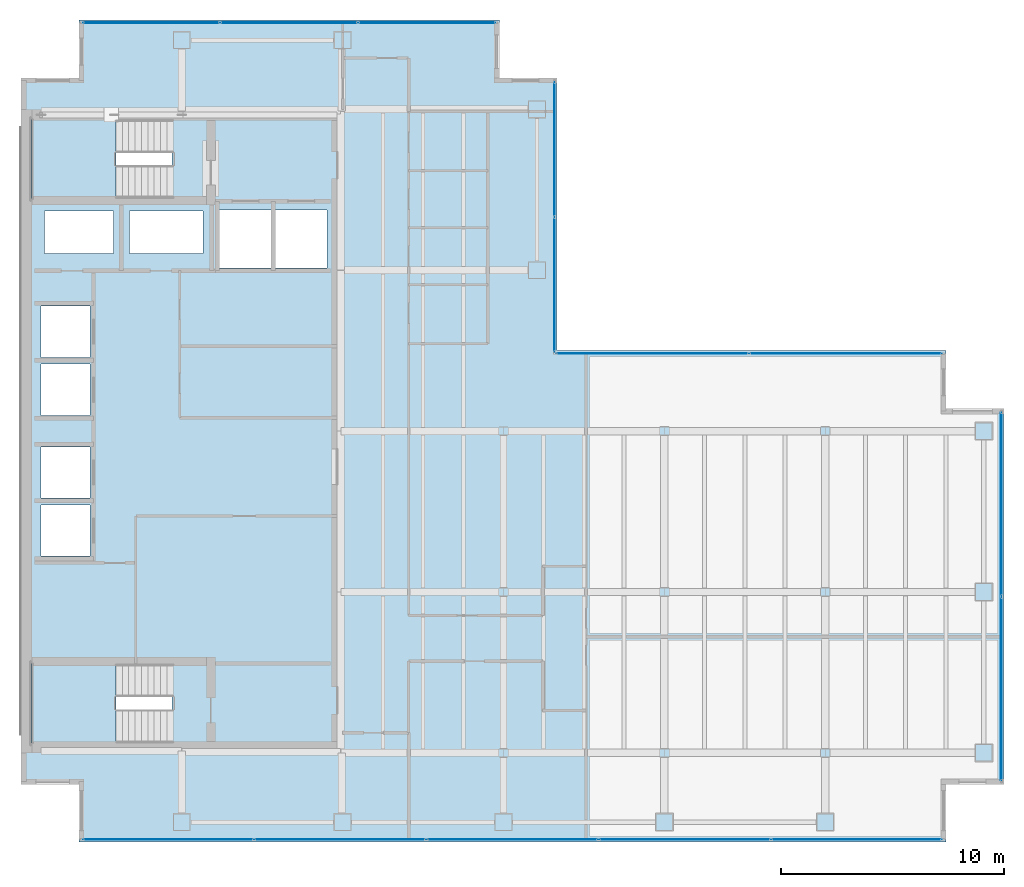
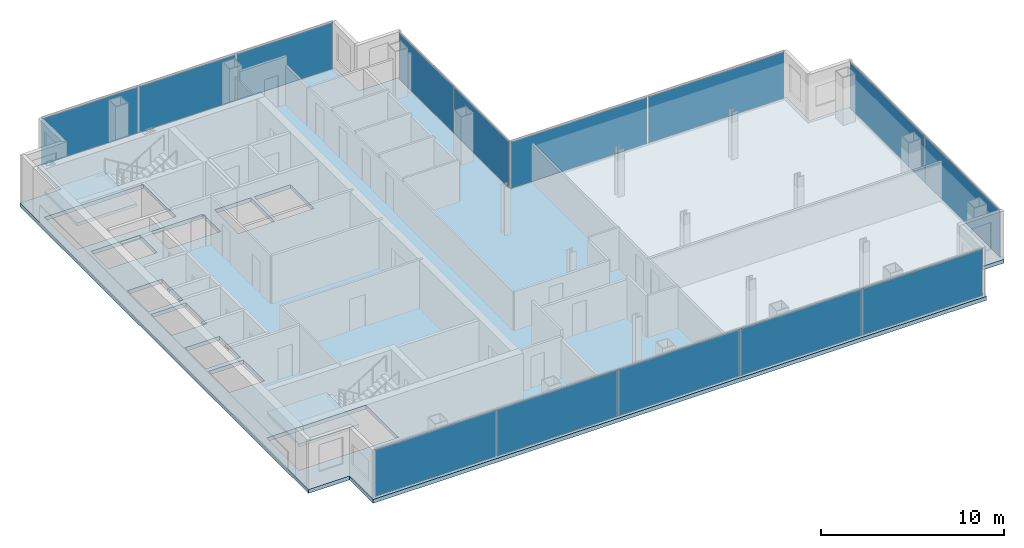
# One storey, part 19 of 23: 14 plates, 3 slabs, 10 openings, 7 elements without a shape of their own.
"""IFC4 building model written with IfcOpenShell, lengths in metres."""

from ifc_helpers import new_model, si_unit, direction, frame, origin, origin_2d, place, context, subcontext, project, spatial, polyline, rectangle, outline, extrude, material, layer, layer_set, type_object, element, aggregate, save


model = new_model("IFC4")

# Units and contexts
model_context = context("Model", 3, precision=1e-05, world=origin(), true_north=direction((0.0, 1.0)))
body_context = subcontext(model_context, "Body", "Model", "MODEL_VIEW")
ifc_project = project(units=[si_unit("LENGTHUNIT", "METRE"), si_unit("AREAUNIT", "SQUARE_METRE"), si_unit("VOLUMEUNIT", "CUBIC_METRE"), si_unit("PLANEANGLEUNIT", "RADIAN"), si_unit("MASSUNIT", "GRAM", prefix="KILO")], contexts=[model_context])

# Site, building, storey
site_placement = place(None, origin())
site = spatial("IfcSite", under=ifc_project, at=site_placement, CompositionType="ELEMENT")
building_placement = place(site_placement, origin())
building = spatial("IfcBuilding", under=site, at=building_placement, Name="Cobrela Telecom Tower", CompositionType="ELEMENT")
storey_placement = place(building_placement, frame((0.0, 0.0, 197.75)))
storey = spatial("IfcBuildingStorey", under=building, at=storey_placement, Name="L50", CompositionType="ELEMENT", Elevation=197.75)

# Curtain wall, plates
ifc_material_1 = material(Name="Anodized Bronze Aluminium 6063-T6", Category="aluminium")
curtain_wall_type = type_object("IfcCurtainWallType", Name="CW-SYS-OFF-LO", PredefinedType="USERDEFINED", material=ifc_material_1)
curtain_wall_1_placement = place(storey_placement, origin())
curtain_wall_1 = element("IfcCurtainWall", 1, at=curtain_wall_1_placement, inside=storey, type_object=curtain_wall_type, Name="L50 Unitised Bronze Curtain Wall 07", ObjectType="UNITISED CURTAIN WALL", PredefinedType="USERDEFINED")
ifc_material_2 = material(Name="Solar-Control Bronze Low-E Glass", Category="glass")
ifc_layer_1 = layer(ifc_material_2, 0.031982421875)
ifc_layer_set_1 = layer_set([ifc_layer_1], Name="Solar-Control Bronze Low-E Glass")
plate_type = type_object("IfcPlateType", Name="CW-SYS-OFF-LO-PNL", PredefinedType="CURTAIN_PANEL", material=ifc_layer_set_1)
plate_1_placement = place(storey_placement, frame((5.82421875, 39.8798828125, 0.070068359375), z_axis=(0.0, 0.0, 1.0), x_axis=(1.0, 0.0, 0.0)))
plate_1 = element("IfcPlate", 2, at=plate_1_placement, type_object=plate_type, Name="CW-OFF-LO panel 1.1", PredefinedType="CURTAIN_PANEL", context=body_context, shape_type="SweptSolid", body=[
    extrude(rectangle(XDim=6.08837890625, YDim=0.031982421875, at=origin_2d()), origin(), (0.0, 0.0, 1.0), 3.10009765625),
])
plate_2_placement = place(storey_placement, frame((12.0, 39.8798828125, 0.070068359375), z_axis=(0.0, 0.0, 1.0), x_axis=(1.0, 0.0, 0.0)))
plate_2 = element("IfcPlate", 3, at=plate_2_placement, type_object=plate_type, Name="CW-OFF-LO panel 2.1", PredefinedType="CURTAIN_PANEL", context=body_context, shape_type="SweptSolid", body=[
    extrude(rectangle(XDim=6.123291015625, YDim=0.031982421875, at=origin_2d()), origin(), (0.0, 0.0, 1.0), 3.10009765625),
])
plate_3_placement = place(storey_placement, frame((18.17578125, 39.8798828125, 0.070068359375), z_axis=(0.0, 0.0, 1.0), x_axis=(1.0, 0.0, 0.0)))
plate_3 = element("IfcPlate", 4, at=plate_3_placement, type_object=plate_type, Name="CW-OFF-LO panel 3.1", PredefinedType="CURTAIN_PANEL", context=body_context, shape_type="SweptSolid", body=[
    extrude(rectangle(XDim=6.08837890625, YDim=0.031982421875, at=origin_2d()), origin(), (0.0, 0.0, 1.0), 3.10009765625),
])
aggregate(curtain_wall_1, [plate_1, plate_2, plate_3])

curtain_wall_2_placement = place(storey_placement, origin())
curtain_wall_2 = element("IfcCurtainWall", 5, at=curtain_wall_2_placement, inside=storey, type_object=curtain_wall_type, Name="L50 Unitised Bronze Curtain Wall 10", ObjectType="UNITISED CURTAIN WALL", PredefinedType="USERDEFINED")
plate_4_placement = place(storey_placement, frame((23.8798828125, 34.219970703125, 0.070068359375), z_axis=(0.0, 0.0, 1.0), x_axis=(0.0, -1.0, 0.0)))
plate_4 = element("IfcPlate", 6, at=plate_4_placement, type_object=plate_type, Name="CW-OFF-LO panel 1.1", PredefinedType="CURTAIN_PANEL", context=body_context, shape_type="SweptSolid", body=[
    extrude(rectangle(XDim=6.0, YDim=0.031982421875, at=origin_2d()), origin(), (0.0, 0.0, 1.0), 3.10009765625),
])
plate_5_placement = place(storey_placement, frame((23.8798828125, 28.14990234375, 0.070068359375), z_axis=(0.0, 0.0, 1.0), x_axis=(0.0, -1.0, 0.0)))
plate_5 = element("IfcPlate", 7, at=plate_5_placement, type_object=plate_type, Name="CW-OFF-LO panel 2.1", PredefinedType="CURTAIN_PANEL", context=body_context, shape_type="SweptSolid", body=[
    extrude(rectangle(XDim=6.0, YDim=0.031982421875, at=origin_2d()), origin(), (0.0, 0.0, 1.0), 3.10009765625),
])
aggregate(curtain_wall_2, [plate_4, plate_5])

curtain_wall_3_placement = place(storey_placement, origin())
curtain_wall_3 = element("IfcCurtainWall", 8, at=curtain_wall_3_placement, inside=storey, type_object=curtain_wall_type, Name="L50 Unitised Bronze Curtain Wall 11", ObjectType="UNITISED CURTAIN WALL", PredefinedType="USERDEFINED")
plate_6_placement = place(storey_placement, frame((28.25, 25.080078125, 0.070068359375), z_axis=(0.0, 0.0, 1.0), x_axis=(1.0, 0.0, 0.0)))
plate_6 = element("IfcPlate", 9, at=plate_6_placement, type_object=plate_type, Name="CW-OFF-LO panel 1.1", PredefinedType="CURTAIN_PANEL", context=body_context, shape_type="SweptSolid", body=[
    extrude(rectangle(XDim=8.60009765625, YDim=0.031982421875, at=origin_2d()), origin(), (0.0, 0.0, 1.0), 3.10009765625),
])
plate_7_placement = place(storey_placement, frame((36.919921875, 25.080078125, 0.070068359375), z_axis=(0.0, 0.0, 1.0), x_axis=(1.0, 0.0, 0.0)))
plate_7 = element("IfcPlate", 10, at=plate_7_placement, type_object=plate_type, Name="CW-OFF-LO panel 2.1", PredefinedType="CURTAIN_PANEL", context=body_context, shape_type="SweptSolid", body=[
    extrude(rectangle(XDim=8.60009765625, YDim=0.031982421875, at=origin_2d()), origin(), (0.0, 0.0, 1.0), 3.10009765625),
])
aggregate(curtain_wall_3, [plate_6, plate_7])

curtain_wall_4_placement = place(storey_placement, origin())
curtain_wall_4 = element("IfcCurtainWall", 11, at=curtain_wall_4_placement, inside=storey, type_object=curtain_wall_type, Name="L50 Unitised Bronze Curtain Wall 14", ObjectType="UNITISED CURTAIN WALL", PredefinedType="USERDEFINED")
plate_8_placement = place(storey_placement, frame((43.8798828125, 18.327392578125, 0.070068359375), z_axis=(0.0, 0.0, 1.0), x_axis=(0.0, -1.0, 0.0)))
plate_8 = element("IfcPlate", 12, at=plate_8_placement, type_object=plate_type, Name="CW-OFF-LO panel 1.1", PredefinedType="CURTAIN_PANEL", context=body_context, shape_type="SweptSolid", body=[
    extrude(rectangle(XDim=8.18505859375, YDim=0.031982421875, at=origin_2d()), origin(), (0.0, 0.0, 1.0), 3.10009765625),
])
plate_9_placement = place(storey_placement, frame((43.8798828125, 10.072509765625, 0.070068359375), z_axis=(0.0, 0.0, 1.0), x_axis=(0.0, -1.0, 0.0)))
plate_9 = element("IfcPlate", 13, at=plate_9_placement, type_object=plate_type, Name="CW-OFF-LO panel 2.1", PredefinedType="CURTAIN_PANEL", context=body_context, shape_type="SweptSolid", body=[
    extrude(rectangle(XDim=8.18505859375, YDim=0.031982421875, at=origin_2d()), origin(), (0.0, 0.0, 1.0), 3.10009765625),
])
aggregate(curtain_wall_4, [plate_8, plate_9])

curtain_wall_5_placement = place(storey_placement, origin())
curtain_wall_5 = element("IfcCurtainWall", 14, at=curtain_wall_5_placement, inside=storey, type_object=curtain_wall_type, Name="L50 Unitised Bronze Curtain Wall 17", ObjectType="UNITISED CURTAIN WALL", PredefinedType="USERDEFINED")
plate_10_placement = place(storey_placement, frame((37.41455078125, 3.320068359375, 0.070068359375), z_axis=(0.0, 0.0, 1.0), x_axis=(-1.0, 0.0, 0.0)))
plate_10 = element("IfcPlate", 15, at=plate_10_placement, type_object=plate_type, Name="CW-OFF-LO panel 1.1", PredefinedType="CURTAIN_PANEL", context=body_context, shape_type="SweptSolid", body=[
    extrude(rectangle(XDim=7.611083984375, YDim=0.031982421875, at=origin_2d()), origin(), (0.0, 0.0, 1.0), 3.10009765625),
])
plate_11_placement = place(storey_placement, frame((29.716064453125, 3.320068359375, 0.070068359375), z_axis=(0.0, 0.0, 1.0), x_axis=(-1.0, 0.0, 0.0)))
plate_11 = element("IfcPlate", 16, at=plate_11_placement, type_object=plate_type, Name="CW-OFF-LO panel 2.1", PredefinedType="CURTAIN_PANEL", context=body_context, shape_type="SweptSolid", body=[
    extrude(rectangle(XDim=7.64599609375, YDim=0.031982421875, at=origin_2d()), origin(), (0.0, 0.0, 1.0), 3.10009765625),
])
plate_12_placement = place(storey_placement, frame((22.0, 3.320068359375, 0.070068359375), z_axis=(0.0, 0.0, 1.0), x_axis=(-1.0, 0.0, 0.0)))
plate_12 = element("IfcPlate", 17, at=plate_12_placement, type_object=plate_type, Name="CW-OFF-LO panel 3.1", PredefinedType="CURTAIN_PANEL", context=body_context, shape_type="SweptSolid", body=[
    extrude(rectangle(XDim=7.64599609375, YDim=0.031982421875, at=origin_2d()), origin(), (0.0, 0.0, 1.0), 3.10009765625),
])
plate_13_placement = place(storey_placement, frame((14.283935546875, 3.320068359375, 0.070068359375), z_axis=(0.0, 0.0, 1.0), x_axis=(-1.0, 0.0, 0.0)))
plate_13 = element("IfcPlate", 18, at=plate_13_placement, type_object=plate_type, Name="CW-OFF-LO panel 4.1", PredefinedType="CURTAIN_PANEL", context=body_context, shape_type="SweptSolid", body=[
    extrude(rectangle(XDim=7.64599609375, YDim=0.031982421875, at=origin_2d()), origin(), (0.0, 0.0, 1.0), 3.10009765625),
])
plate_14_placement = place(storey_placement, frame((6.58544921875, 3.320068359375, 0.070068359375), z_axis=(0.0, 0.0, 1.0), x_axis=(-1.0, 0.0, 0.0)))
plate_14 = element("IfcPlate", 19, at=plate_14_placement, type_object=plate_type, Name="CW-OFF-LO panel 5.1", PredefinedType="CURTAIN_PANEL", context=body_context, shape_type="SweptSolid", body=[
    extrude(rectangle(XDim=7.611083984375, YDim=0.031982421875, at=origin_2d()), origin(), (0.0, 0.0, 1.0), 3.10009765625),
])
aggregate(curtain_wall_5, [plate_10, plate_11, plate_12, plate_13, plate_14])

# Slab, openings
ifc_material_3 = material(Name="Concrete C40/50", Category="concrete")
ifc_layer_2 = layer(ifc_material_3, 0.260009765625)
ifc_layer_set_2 = layer_set([ifc_layer_2], Name="Concrete C40/50")
slab_type_1 = type_object("IfcSlabType", Name="SLAB-FLR-260", PredefinedType="FLOOR", material=ifc_layer_set_2)
slab_1_placement = place(storey_placement, frame((0.0, 0.0, -0.260009765625)))
slab_1 = element("IfcSlab", 20, at=slab_1_placement, inside=storey, type_object=slab_type_1, Name="L50 Structural Floor Slab", PredefinedType="FLOOR", context=body_context, shape_type="SweptSolid", body=[
    extrude(outline(polyline([(2.590087890625, 3.199951171875), (41.409912109375, 3.199951171875), (41.409912109375, 5.7900390625), (44.0, 5.7900390625), (44.0, 22.610107421875), (41.409912109375, 22.610107421875), (41.409912109375, 25.199951171875), (24.0, 25.199951171875), (24.0, 37.409912109375), (21.409912109375, 37.409912109375), (21.409912109375, 40.0), (2.590087890625, 40.0), (2.590087890625, 37.409912109375), (0.0, 37.409912109375), (0.0, 5.7900390625), (2.590087890625, 5.7900390625), (2.590087890625, 3.199951171875)])), origin(), (0.0, 0.0, 1.0), 0.260009765625),
])
opening_1_placement = place(slab_1_placement, frame((0.0, 0.0, -0.02001953125)))
element("IfcOpeningElement", 21, at=opening_1_placement, cuts=slab_1, Name="Slab Shaft Opening SLAB-L50-MAIN.1", PredefinedType="OPENING", context=body_context, shape_type="SweptSolid", body=[
    extrude(outline(polyline([(8.89990234375, 28.89990234375), (11.199951171875, 28.89990234375), (11.199951171875, 31.5), (8.89990234375, 31.5), (8.89990234375, 28.89990234375)])), origin(), (0.0, 0.0, 1.0), 0.300048828125),
])
opening_2_placement = place(slab_1_placement, frame((0.0, 0.0, -0.02001953125)))
element("IfcOpeningElement", 22, at=opening_2_placement, cuts=slab_1, Name="Slab Shaft Opening SLAB-L50-MAIN.2", PredefinedType="OPENING", context=body_context, shape_type="SweptSolid", body=[
    extrude(outline(polyline([(11.39990234375, 28.89990234375), (13.699951171875, 28.89990234375), (13.699951171875, 31.5), (11.39990234375, 31.5), (11.39990234375, 28.89990234375)])), origin(), (0.0, 0.0, 1.0), 0.300048828125),
])
opening_3_placement = place(slab_1_placement, frame((0.0, 0.0, -0.02001953125)))
element("IfcOpeningElement", 23, at=opening_3_placement, cuts=slab_1, Name="Slab Shaft Opening SLAB-L50-MAIN.3", PredefinedType="OPENING", context=body_context, shape_type="SweptSolid", body=[
    extrude(outline(polyline([(0.89990234375, 16.0), (3.10009765625, 16.0), (3.10009765625, 18.300048828125), (0.89990234375, 18.300048828125), (0.89990234375, 16.0)])), origin(), (0.0, 0.0, 1.0), 0.300048828125),
])
opening_4_placement = place(slab_1_placement, frame((0.0, 0.0, -0.02001953125)))
element("IfcOpeningElement", 24, at=opening_4_placement, cuts=slab_1, Name="Slab Shaft Opening SLAB-L50-MAIN.4", PredefinedType="OPENING", context=body_context, shape_type="SweptSolid", body=[
    extrude(outline(polyline([(0.89990234375, 18.60009765625), (3.10009765625, 18.60009765625), (3.10009765625, 20.89990234375), (0.89990234375, 20.89990234375), (0.89990234375, 18.60009765625)])), origin(), (0.0, 0.0, 1.0), 0.300048828125),
])
opening_5_placement = place(slab_1_placement, frame((0.0, 0.0, -0.02001953125)))
element("IfcOpeningElement", 25, at=opening_5_placement, cuts=slab_1, Name="Slab Shaft Opening SLAB-L50-MAIN.5", PredefinedType="OPENING", context=body_context, shape_type="SweptSolid", body=[
    extrude(outline(polyline([(0.89990234375, 22.300048828125), (3.10009765625, 22.300048828125), (3.10009765625, 24.60009765625), (0.89990234375, 24.60009765625), (0.89990234375, 22.300048828125)])), origin(), (0.0, 0.0, 1.0), 0.300048828125),
])
opening_6_placement = place(slab_1_placement, frame((0.0, 0.0, -0.02001953125)))
element("IfcOpeningElement", 26, at=opening_6_placement, cuts=slab_1, Name="Slab Shaft Opening SLAB-L50-MAIN.6", PredefinedType="OPENING", context=body_context, shape_type="SweptSolid", body=[
    extrude(outline(polyline([(0.89990234375, 24.89990234375), (3.10009765625, 24.89990234375), (3.10009765625, 27.199951171875), (0.89990234375, 27.199951171875), (0.89990234375, 24.89990234375)])), origin(), (0.0, 0.0, 1.0), 0.300048828125),
])
opening_7_placement = place(slab_1_placement, frame((0.0, 0.0, -0.02001953125)))
element("IfcOpeningElement", 27, at=opening_7_placement, cuts=slab_1, Name="Slab Shaft Opening SLAB-L50-MAIN.7", PredefinedType="OPENING", context=body_context, shape_type="SweptSolid", body=[
    extrude(outline(polyline([(1.050048828125, 29.550048828125), (4.14990234375, 29.550048828125), (4.14990234375, 31.449951171875), (1.050048828125, 31.449951171875), (1.050048828125, 29.550048828125)])), origin(), (0.0, 0.0, 1.0), 0.300048828125),
])
opening_8_placement = place(slab_1_placement, frame((0.0, 0.0, -0.02001953125)))
element("IfcOpeningElement", 28, at=opening_8_placement, cuts=slab_1, Name="Slab Shaft Opening SLAB-L50-MAIN.8", PredefinedType="OPENING", context=body_context, shape_type="SweptSolid", body=[
    extrude(outline(polyline([(4.85009765625, 29.550048828125), (8.14990234375, 29.550048828125), (8.14990234375, 31.449951171875), (4.85009765625, 31.449951171875), (4.85009765625, 29.550048828125)])), origin(), (0.0, 0.0, 1.0), 0.300048828125),
])
opening_9_placement = place(slab_1_placement, frame((0.0, 0.0, -0.02001953125)))
element("IfcOpeningElement", 29, at=opening_9_placement, cuts=slab_1, Name="Slab Shaft Opening SLAB-L50-MAIN.9", PredefinedType="OPENING", context=body_context, shape_type="SweptSolid", body=[
    extrude(outline(polyline([(6.7548828125, 35.550048828125), (0.47998046875, 35.550048828125), (0.47998046875, 32.0), (6.7548828125, 32.0), (6.7548828125, 35.550048828125)])), origin(), (0.0, 0.0, 1.0), 0.300048828125),
])
opening_10_placement = place(slab_1_placement, frame((0.0, 0.0, -0.02001953125)))
element("IfcOpeningElement", 30, at=opening_10_placement, cuts=slab_1, Name="Slab Shaft Opening SLAB-L50-MAIN.10", PredefinedType="OPENING", context=body_context, shape_type="SweptSolid", body=[
    extrude(outline(polyline([(6.7548828125, 11.199951171875), (0.47998046875, 11.199951171875), (0.47998046875, 7.64990234375), (6.7548828125, 7.64990234375), (6.7548828125, 11.199951171875)])), origin(), (0.0, 0.0, 1.0), 0.300048828125),
])

# Stair, slab
stair_type = type_object("IfcStairType", Name="STAIR-CORE", PredefinedType="HALF_TURN_STAIR", material=ifc_material_3)
stair_1_placement = place(storey_placement, origin())
stair_1 = element("IfcStair", 31, at=stair_1_placement, inside=storey, type_object=stair_type, Name="L50 Smokeproof Exit Stair ST1", PredefinedType="HALF_TURN_STAIR")
ifc_layer_3 = layer(ifc_material_3, 0.199951171875)
ifc_layer_set_3 = layer_set([ifc_layer_3], Name="Concrete C40/50")
slab_type_2 = type_object("IfcSlabType", Name="SLAB-LAND-200", PredefinedType="LANDING", material=ifc_layer_set_3)
slab_2_placement = place(storey_placement, frame((0.0, 0.0, 1.550048828125)))
slab_2 = element("IfcSlab", 32, at=slab_2_placement, type_object=slab_type_2, Name="ST1 landing 1", PredefinedType="LANDING", context=body_context, shape_type="SweptSolid", body=[
    extrude(outline(polyline([(4.2548828125, 35.550048828125), (0.47998046875, 35.550048828125), (0.47998046875, 32.0), (4.2548828125, 32.0), (4.2548828125, 35.550048828125)])), origin(), (0.0, 0.0, 1.0), 0.199951171875),
])
aggregate(stair_1, [slab_2])

stair_2_placement = place(storey_placement, origin())
stair_2 = element("IfcStair", 33, at=stair_2_placement, inside=storey, type_object=stair_type, Name="L50 Smokeproof Exit Stair ST2", PredefinedType="HALF_TURN_STAIR")
slab_3_placement = place(storey_placement, frame((0.0, 0.0, 1.550048828125)))
slab_3 = element("IfcSlab", 34, at=slab_3_placement, type_object=slab_type_2, Name="ST2 landing 1", PredefinedType="LANDING", context=body_context, shape_type="SweptSolid", body=[
    extrude(outline(polyline([(4.2548828125, 11.199951171875), (0.47998046875, 11.199951171875), (0.47998046875, 7.64990234375), (4.2548828125, 7.64990234375), (4.2548828125, 11.199951171875)])), origin(), (0.0, 0.0, 1.0), 0.199951171875),
])
aggregate(stair_2, [slab_3])

save(model, "model.ifc")
